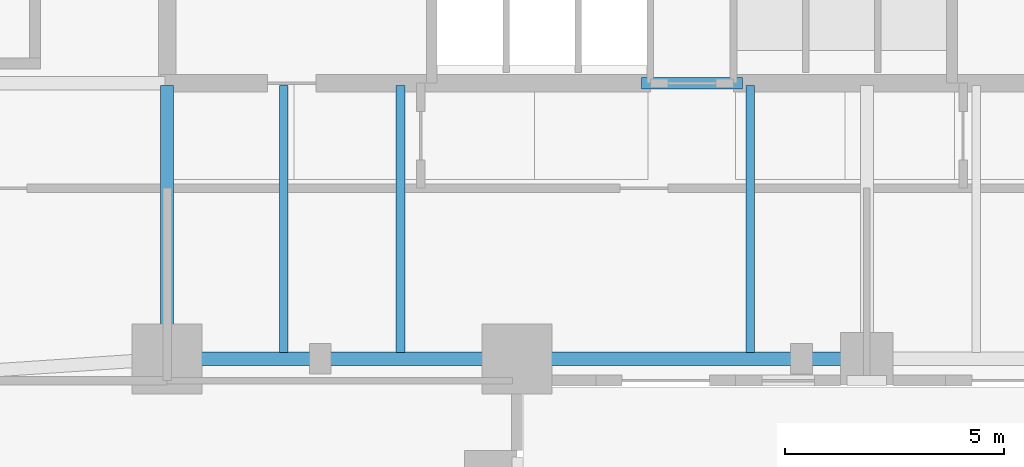
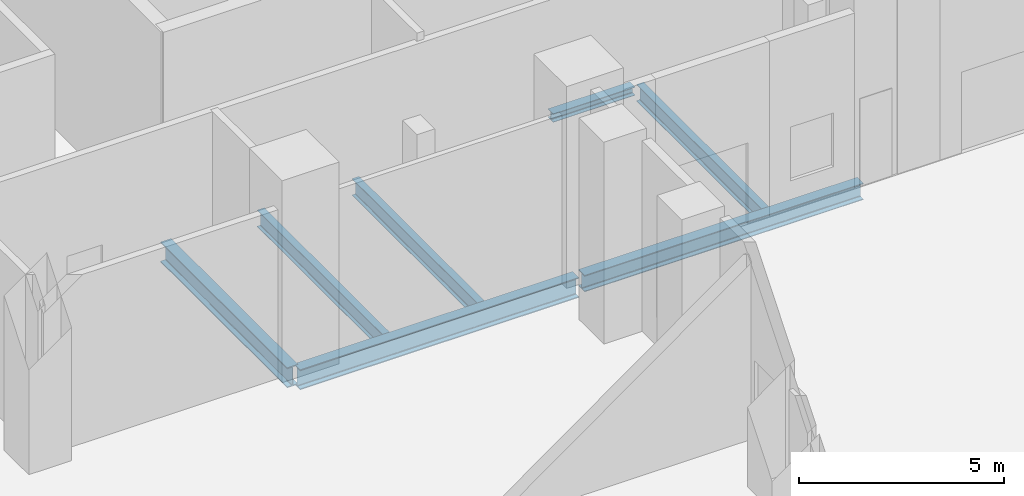
# One storey, part 7 of 26: 7 beams.
"""IFC4 building model written with IfcOpenShell, lengths in metres."""

from ifc_helpers import new_model, si_unit, direction, frame, origin, origin_2d, place, context, subcontext, project, spatial, i_section, extrude, material, material_profile, profile_set, type_object, element, save


model = new_model("IFC4")

# Units and contexts
model_context = context("Model", 3, precision=1e-05, world=origin(), true_north=direction((0.0, 1.0)))
body_context = subcontext(model_context, "Body", "Model", "MODEL_VIEW")
ifc_project = project(units=[si_unit("LENGTHUNIT", "METRE"), si_unit("AREAUNIT", "SQUARE_METRE"), si_unit("VOLUMEUNIT", "CUBIC_METRE"), si_unit("PLANEANGLEUNIT", "RADIAN"), si_unit("MASSUNIT", "GRAM", prefix="KILO")], contexts=[model_context])

# Site, building, storey
site_placement = place(None, origin())
site = spatial("IfcSite", under=ifc_project, at=site_placement, CompositionType="ELEMENT")
building_placement = place(site_placement, origin())
building = spatial("IfcBuilding", under=site, at=building_placement, Name="Catumbela Crestline Tower", CompositionType="ELEMENT")
storey_placement = place(building_placement, origin())
storey = spatial("IfcBuildingStorey", under=building, at=storey_placement, Name="L00", CompositionType="ELEMENT", Elevation=0.0)

# Beams
ifc_material = material(Name="Structural steel S355J2", Category="steel")
ifc_material_profile_1 = material_profile(ifc_material, i_section(OverallWidth=0.3, OverallDepth=0.6, WebThickness=0.0155, FlangeThickness=0.03, FilletRadius=0.027, at=origin_2d()), Name="HEB 600")
ifc_profile_set_1 = profile_set([ifc_material_profile_1], Name="Structural steel S355J2")
beam_type_1 = type_object("IfcBeamType", Name="BG-HEB600", PredefinedType="BEAM", material=ifc_profile_set_1)
beam_1_placement = place(storey_placement, frame((16.08, 24.5, -0.62), z_axis=(1.0, 0.0, 0.0), x_axis=(0.0, 1.0, 0.0)))
element("IfcBeam", 1, at=beam_1_placement, inside=storey, type_object=beam_type_1, Name="L00 Beam BM-L00-S04", PredefinedType="BEAM", context=body_context, shape_type="SweptSolid", body=[
    extrude(i_section(OverallWidth=0.3, OverallDepth=0.6, WebThickness=0.0155, FlangeThickness=0.03, FilletRadius=0.027, at=origin_2d()), origin(), (0.0, 0.0, 1.0), 7.84),
])
beam_2_placement = place(storey_placement, frame((16.0, 24.58, -0.62), z_axis=(0.0, 1.0, 0.0), x_axis=(-1.0, 0.0, 0.0)))
element("IfcBeam", 2, at=beam_2_placement, inside=storey, type_object=beam_type_1, Name="L00 Beam BM-L00-SNS27", PredefinedType="BEAM", context=body_context, shape_type="SweptSolid", body=[
    extrude(i_section(OverallWidth=0.3, OverallDepth=0.6, WebThickness=0.0155, FlangeThickness=0.03, FilletRadius=0.027, at=origin_2d()), origin(), (0.0, 0.0, 1.0), 6.17),
])
ifc_material_profile_2 = material_profile(ifc_material, i_section(OverallWidth=0.26, OverallDepth=0.25, WebThickness=0.0075, FlangeThickness=0.0125, FilletRadius=0.024, at=origin_2d()), Name="HEA 260")
ifc_profile_set_2 = profile_set([ifc_material_profile_2], Name="Structural steel S355J2")
beam_type_2 = type_object("IfcBeamType", Name="BL-240", PredefinedType="LINTEL", material=ifc_profile_set_2)
beam_3_placement = place(storey_placement, frame((26.85, 30.8, -0.445), z_axis=(1.0, 0.0, 0.0), x_axis=(0.0, 1.0, 0.0)))
element("IfcBeam", 3, at=beam_3_placement, inside=storey, type_object=beam_type_2, Name="L00 Core Lobby Portal Lintel Beam", PredefinedType="LINTEL", context=body_context, shape_type="SweptSolid", body=[
    extrude(i_section(OverallWidth=0.26, OverallDepth=0.25, WebThickness=0.0075, FlangeThickness=0.0125, FilletRadius=0.024, at=origin_2d()), origin(), (0.0, 0.0, 1.0), 2.3),
])
ifc_material_profile_3 = material_profile(ifc_material, i_section(OverallWidth=0.2, OverallDepth=0.5, WebThickness=0.0102, FlangeThickness=0.016, FilletRadius=0.021, at=origin_2d()), Name="IPE 500")
ifc_profile_set_3 = profile_set([ifc_material_profile_3], Name="Structural steel S355J2")
beam_type_3 = type_object("IfcBeamType", Name="BJ-IPE500", PredefinedType="JOIST", material=ifc_profile_set_3)
for number, where, z_axis, x_axis, name in (
    (4, (18.667, 24.647, -0.57), (0.0, 1.0, 0.0), (-1.0, 0.0, 0.0), "L00 Joist JS-L00-SP33"),
    (5, (21.333, 24.647, -0.57), (0.0, 1.0, 0.0), (-1.0, 0.0, 0.0), "L00 Joist JS-L00-SP34"),
    (6, (29.333, 24.647, -0.57), (0.0, 1.0, 0.0), (-1.0, 0.0, 0.0), "L00 Joist JS-L00-SP36"),
):
    element("IfcBeam", number, at=place(storey_placement, frame(where, z_axis=z_axis, x_axis=x_axis)), inside=storey, type_object=beam_type_3, Name=name, PredefinedType="JOIST", context=body_context, shape_type="SweptSolid", body=[
        extrude(i_section(OverallWidth=0.2, OverallDepth=0.5, WebThickness=0.0102, FlangeThickness=0.016, FilletRadius=0.021, at=origin_2d()), origin(), (0.0, 0.0, 1.0), 6.103),
    ])
ifc_material_profile_4 = material_profile(ifc_material, i_section(OverallWidth=0.3, OverallDepth=0.49, WebThickness=0.012, FlangeThickness=0.023, FilletRadius=0.027, at=origin_2d()), Name="HEA 500")
ifc_profile_set_4 = profile_set([ifc_material_profile_4], Name="Structural steel S355J2")
beam_type_4 = type_object("IfcBeamType", Name="BS-HEA500", PredefinedType="SPANDREL", material=ifc_profile_set_4)
beam_4_placement = place(storey_placement, frame((24.08, 24.5, -0.565), z_axis=(1.0, 0.0, 0.0), x_axis=(0.0, 1.0, 0.0)))
element("IfcBeam", 7, at=beam_4_placement, inside=storey, type_object=beam_type_4, Name="L00 Spandrel SP-L00-S05", PredefinedType="SPANDREL", context=body_context, shape_type="SweptSolid", body=[
    extrude(i_section(OverallWidth=0.3, OverallDepth=0.49, WebThickness=0.012, FlangeThickness=0.023, FilletRadius=0.027, at=origin_2d()), origin(), (0.0, 0.0, 1.0), 7.84),
])

save(model, "model.ifc")
